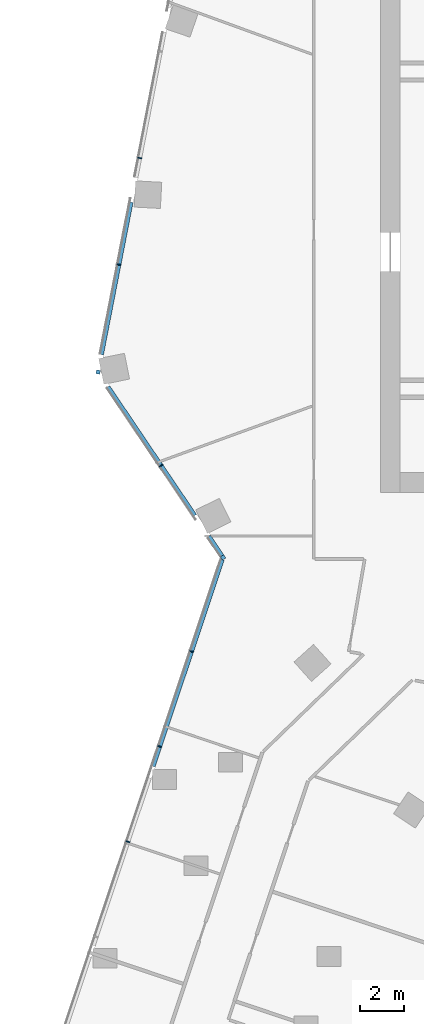
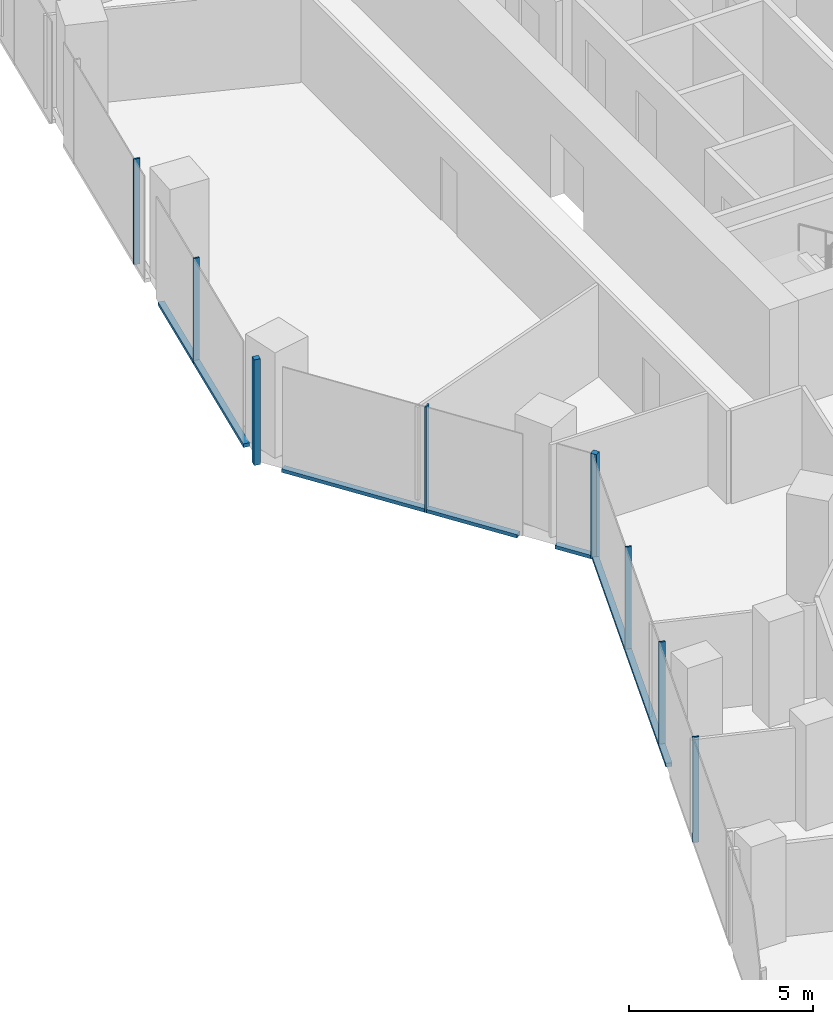
# One storey, part 6 of 32: 12 members, 3 elements without a shape of their own.
"""IFC4 building model written with IfcOpenShell, lengths in metres."""

from ifc_helpers import new_model, si_unit, direction, frame, origin, origin_2d, place, context, subcontext, project, spatial, rectangle, extrude, material, material_profile, profile_set, type_object, element, aggregate, save


model = new_model("IFC4")

# Units and contexts
model_context = context("Model", 3, precision=1e-05, world=origin(), true_north=direction((0.0, 1.0)))
body_context = subcontext(model_context, "Body", "Model", "MODEL_VIEW")
ifc_project = project(units=[si_unit("LENGTHUNIT", "METRE"), si_unit("AREAUNIT", "SQUARE_METRE"), si_unit("VOLUMEUNIT", "CUBIC_METRE"), si_unit("PLANEANGLEUNIT", "RADIAN"), si_unit("MASSUNIT", "GRAM", prefix="KILO")], contexts=[model_context])

# Site, building, storey
site_placement = place(None, origin())
site = spatial("IfcSite", under=ifc_project, at=site_placement, CompositionType="ELEMENT")
building_placement = place(site_placement, origin())
building = spatial("IfcBuilding", under=site, at=building_placement, Name="Orlundy Tower", CompositionType="ELEMENT")
storey_placement = place(building_placement, frame((0.0, 0.0, 152.60009765625)))
storey = spatial("IfcBuildingStorey", under=building, at=storey_placement, Name="L39", CompositionType="ELEMENT", Elevation=152.60009765625)

# Curtain wall, member
ifc_material_1 = material(Name="Aluminium bronze anodised", Category="aluminium")
curtain_wall_type = type_object("IfcCurtainWallType", Name="CW1 wall", PredefinedType="NOTDEFINED", material=ifc_material_1)
curtain_wall_1_placement = place(storey_placement, origin())
curtain_wall_1 = element("IfcCurtainWall", 1, at=curtain_wall_1_placement, inside=storey, type_object=curtain_wall_type, Name="CW1 run 013", PredefinedType="NOTDEFINED")
ifc_material_2 = material(Name="Aluminium bronze anodised", Category="aluminium")
ifc_material_profile_1 = material_profile(ifc_material_2, rectangle(XDim=0.179931640625, YDim=0.179931640625, at=origin_2d()), Name="CW1 corner post 180x180")
ifc_profile_set_1 = profile_set([ifc_material_profile_1], Name="Aluminium bronze anodised")
member_type_1 = type_object("IfcMemberType", Name="CW1 corner post 180x180", PredefinedType="MULLION", material=ifc_profile_set_1)
member_1_placement = place(storey_placement, frame((-26.1953125, -14.9736328125, -0.400146484375), z_axis=(0.0, 0.0, 1.0), x_axis=(-0.829032104807, -0.559201009656, 0.0)))
member_1 = element("IfcMember", 2, at=member_1_placement, type_object=member_type_1, Name="CW1 mullion 32", PredefinedType="MULLION", context=body_context, shape_type="SweptSolid", body=[
    extrude(rectangle(XDim=0.179931640625, YDim=0.179931640625, at=origin_2d()), origin(), (0.0, 0.0, 1.0), 3.5),
])

curtain_wall_2_placement = place(storey_placement, origin())
curtain_wall_2 = element("IfcCurtainWall", 3, at=curtain_wall_2_placement, inside=storey, type_object=curtain_wall_type, Name="CW1 run 014", PredefinedType="NOTDEFINED")
member_2_placement = place(storey_placement, frame((-31.91552734375, -6.493408203125, -0.400146484375), z_axis=(0.0, 0.0, 1.0), x_axis=(-0.981627952333, 0.19080503976, 0.0)))
member_2 = element("IfcMember", 4, at=member_2_placement, type_object=member_type_1, Name="CW1 mullion 34", PredefinedType="MULLION", context=body_context, shape_type="SweptSolid", body=[
    extrude(rectangle(XDim=0.179931640625, YDim=0.179931640625, at=origin_2d()), origin(), (0.0, 0.0, 1.0), 3.5),
])

# Curtain wall, members
curtain_wall_3_placement = place(storey_placement, origin())
curtain_wall_3 = element("IfcCurtainWall", 5, at=curtain_wall_3_placement, inside=storey, type_object=curtain_wall_type, Name="CW1 run 012", PredefinedType="NOTDEFINED")
ifc_material_3 = material(Name="Aluminium bronze anodised", Category="aluminium")
ifc_material_profile_2 = material_profile(ifc_material_3, rectangle(XDim=0.179931640625, YDim=0.050048828125, at=origin_2d()), Name="CW1 mullion 50x180")
ifc_profile_set_2 = profile_set([ifc_material_profile_2], Name="Aluminium bronze anodised")
member_type_2 = type_object("IfcMemberType", Name="CW1 mullion 50x180", PredefinedType="MULLION", material=ifc_profile_set_2)
member_3_placement = place(storey_placement, frame((-30.54931640625, -27.986328125, -0.400146484375), z_axis=(0.0, 0.0, 1.0), x_axis=(-0.948326756752, 0.317295386712, 0.0)))
member_3 = element("IfcMember", 6, at=member_3_placement, type_object=member_type_2, Name="CW1 mullion 29", PredefinedType="MULLION", context=body_context, shape_type="SweptSolid", body=[
    extrude(rectangle(XDim=0.179931640625, YDim=0.050048828125, at=origin_2d()), origin(), (0.0, 0.0, 1.0), 3.5),
])
member_4_placement = place(storey_placement, frame((-29.09326171875, -23.634765625, -0.400146484375), z_axis=(0.0, 0.0, 1.0), x_axis=(-0.948326756752, 0.317295386712, 0.0)))
member_4 = element("IfcMember", 7, at=member_4_placement, type_object=member_type_2, Name="CW1 mullion 30", PredefinedType="MULLION", context=body_context, shape_type="SweptSolid", body=[
    extrude(rectangle(XDim=0.179931640625, YDim=0.050048828125, at=origin_2d()), origin(), (0.0, 0.0, 1.0), 3.5),
])
member_5_placement = place(storey_placement, frame((-27.637451171875, -19.283203125, -0.400146484375), z_axis=(0.0, 0.0, 1.0), x_axis=(-0.948326756752, 0.317295386712, 0.0)))
member_5 = element("IfcMember", 8, at=member_5_placement, type_object=member_type_2, Name="CW1 mullion 31", PredefinedType="MULLION", context=body_context, shape_type="SweptSolid", body=[
    extrude(rectangle(XDim=0.179931640625, YDim=0.050048828125, at=origin_2d()), origin(), (0.0, 0.0, 1.0), 3.5),
])

# Member
member_6_placement = place(storey_placement, frame((-29.03271484375, -10.767333984375, -0.400146484375), z_axis=(0.0, 0.0, 1.0), x_axis=(-0.829032104807, -0.559201009656, 0.0)))
member_6 = element("IfcMember", 9, at=member_6_placement, type_object=member_type_2, Name="CW1 mullion 33", PredefinedType="MULLION", context=body_context, shape_type="SweptSolid", body=[
    extrude(rectangle(XDim=0.179931640625, YDim=0.050048828125, at=origin_2d()), origin(), (0.0, 0.0, 1.0), 3.5),
])

member_7_placement = place(storey_placement, frame((-30.9599609375, -1.57763671875, -0.400146484375), z_axis=(0.0, 0.0, 1.0), x_axis=(-0.981627952333, 0.19080503976, 0.0)))
member_7 = element("IfcMember", 10, at=member_7_placement, type_object=member_type_2, Name="CW1 mullion 35", PredefinedType="MULLION", context=body_context, shape_type="SweptSolid", body=[
    extrude(rectangle(XDim=0.179931640625, YDim=0.050048828125, at=origin_2d()), origin(), (0.0, 0.0, 1.0), 3.5),
])

member_8_placement = place(storey_placement, frame((-30.011474609375, 3.301513671875, -0.400146484375), z_axis=(0.0, 0.0, 1.0), x_axis=(-0.981627952333, 0.19080503976, 0.0)))
member_8 = element("IfcMember", 11, at=member_8_placement, type_object=member_type_2, Name="CW1 mullion 36", PredefinedType="MULLION", context=body_context, shape_type="SweptSolid", body=[
    extrude(rectangle(XDim=0.179931640625, YDim=0.050048828125, at=origin_2d()), origin(), (0.0, 0.0, 1.0), 3.5),
])

ifc_material_4 = material(Name="Aluminium bronze anodised", Category="aluminium")
ifc_material_profile_3 = material_profile(ifc_material_4, rectangle(XDim=0.179931640625, YDim=0.1201171875, at=origin_2d()), Name="CW1 transom 180x120")
ifc_profile_set_3 = profile_set([ifc_material_profile_3], Name="Aluminium bronze anodised")
member_type_3 = type_object("IfcMemberType", Name="CW1 transom 180x120", PredefinedType="USERDEFINED", material=ifc_profile_set_3)
member_9_placement = place(storey_placement, frame((-29.39599609375, -24.5390625, -0.340087890625), z_axis=(0.317299754244, 0.948325295432, 0.0), x_axis=(-0.948325295432, 0.317299754244, 0.0)))
member_9 = element("IfcMember", 12, at=member_9_placement, type_object=member_type_3, Name="CW1 transom", ObjectType="TRANSOM", PredefinedType="USERDEFINED", context=body_context, shape_type="SweptSolid", body=[
    extrude(rectangle(XDim=0.179931640625, YDim=0.1201171875, at=origin_2d()), origin(), (0.0, 0.0, 1.0), 9.973388671875),
])

aggregate(curtain_wall_3, [member_3, member_4, member_5, member_9])

member_10_placement = place(storey_placement, frame((-26.245849609375, -14.89892578125, -0.340087890625), z_axis=(-0.559156219571, 0.829062314977, 0.0), x_axis=(-0.829062314977, -0.559156219571, 0.0)))
member_10 = element("IfcMember", 13, at=member_10_placement, type_object=member_type_3, Name="CW1 transom", ObjectType="TRANSOM", PredefinedType="USERDEFINED", context=body_context, shape_type="SweptSolid", body=[
    extrude(rectangle(XDim=0.179931640625, YDim=0.1201171875, at=origin_2d()), origin(), (0.0, 0.0, 1.0), 1.07275390625),
])

member_11_placement = place(storey_placement, frame((-27.488525390625, -13.056396484375, -0.340087890625), z_axis=(-0.559196044815, 0.829035453683, 0.0), x_axis=(-0.829035453683, -0.559196044815, 0.0)))
member_11 = element("IfcMember", 14, at=member_11_placement, type_object=member_type_3, Name="CW1 transom", ObjectType="TRANSOM", PredefinedType="USERDEFINED", context=body_context, shape_type="SweptSolid", body=[
    extrude(rectangle(XDim=0.179931640625, YDim=0.1201171875, at=origin_2d()), origin(), (0.0, 0.0, 1.0), 7.10498046875),
])

aggregate(curtain_wall_1, [member_1, member_6, member_10, member_11])

member_12_placement = place(storey_placement, frame((-31.760498046875, -5.696044921875, -0.340087890625), z_axis=(0.190817270766, 0.981625574839, 0.0), x_axis=(-0.981625574839, 0.190817270766, 0.0)))
member_12 = element("IfcMember", 15, at=member_12_placement, type_object=member_type_3, Name="CW1 transom", ObjectType="TRANSOM", PredefinedType="USERDEFINED", context=body_context, shape_type="SweptSolid", body=[
    extrude(rectangle(XDim=0.179931640625, YDim=0.1201171875, at=origin_2d()), origin(), (0.0, 0.0, 1.0), 7.10986328125),
])

aggregate(curtain_wall_2, [member_2, member_7, member_8, member_12])

save(model, "model.ifc")
